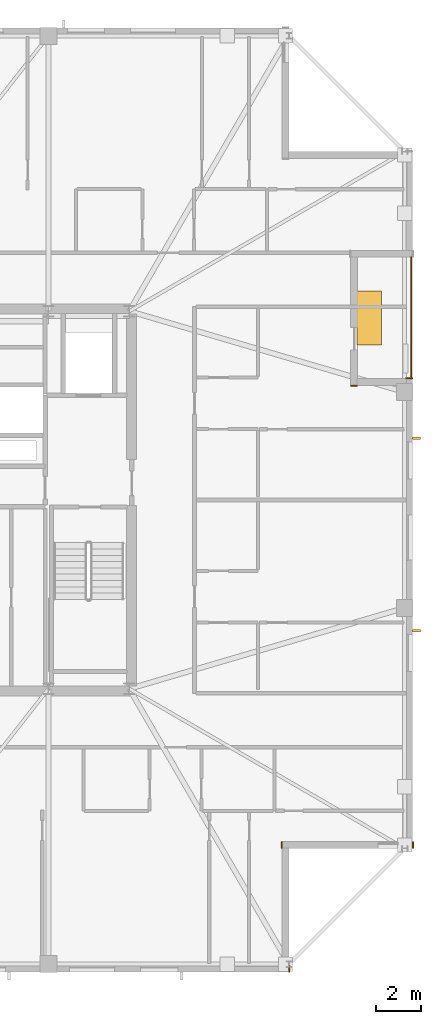
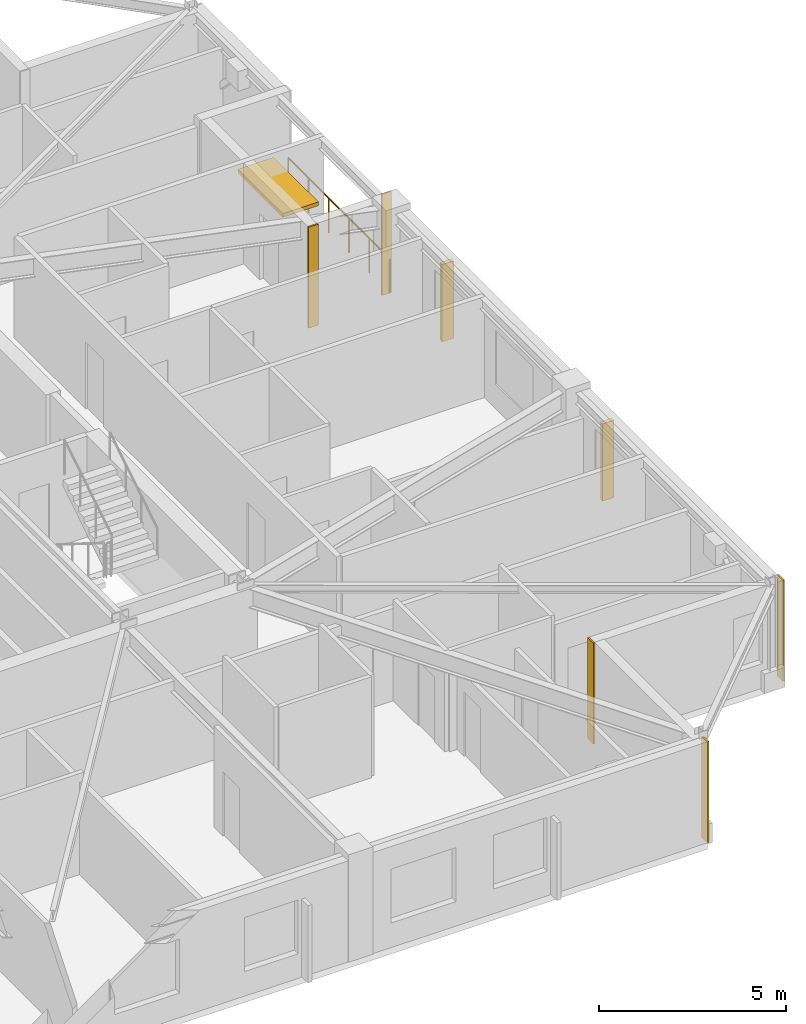
# One storey, part 15 of 16: 5 coverings, 3 shading devices, 1 railing.
"""IFC4 building model written with IfcOpenShell, lengths in metres."""

from ifc_helpers import new_model, si_unit, direction, frame, frame_2d, origin, origin_2d, place, context, subcontext, project, spatial, rectangle, circle, extrude, material, layer, layer_set, type_object, element, save


model = new_model("IFC4")

# Units and contexts
model_context = context("Model", 3, precision=1e-05, world=origin(), true_north=direction((0.0, 1.0)))
body_context = subcontext(model_context, "Body", "Model", "MODEL_VIEW")
ifc_project = project(units=[si_unit("LENGTHUNIT", "METRE"), si_unit("AREAUNIT", "SQUARE_METRE"), si_unit("VOLUMEUNIT", "CUBIC_METRE"), si_unit("PLANEANGLEUNIT", "RADIAN"), si_unit("MASSUNIT", "GRAM", prefix="KILO")], contexts=[model_context])

# Site, building, storey
site_placement = place(None, origin())
site = spatial("IfcSite", under=ifc_project, at=site_placement, CompositionType="ELEMENT")
building_placement = place(site_placement, origin())
building = spatial("IfcBuilding", under=site, at=building_placement, Name="Cairnveth Concourse Tower", CompositionType="ELEMENT")
storey_placement = place(building_placement, frame((0.0, 0.0, 312.0)))
storey = spatial("IfcBuildingStorey", under=building, at=storey_placement, Name="L86", CompositionType="ELEMENT", Elevation=312.0)

# Coverings
ifc_material_1 = material(Name="Dressed Melbourne Bluestone Cladding", Category="masonry")
ifc_layer = layer(ifc_material_1, 0.050048828125)
ifc_layer_set = layer_set([ifc_layer], Name="Dressed Melbourne Bluestone Cladding")
covering_type = type_object("IfcCoveringType", Name="DRESSED BLUESTONE PLINTH CLADDING 50", PredefinedType="CLADDING", material=ifc_layer_set)
for number, where, z_axis, x_axis, name in (
    (1, (72.699951171875, 44.419921875, 0.0), (0.0, 0.0, 1.0), (1.0, 0.0, 0.0), "Melbourne Bluestone Corner Quoin L86-1307"),
    (2, (73.02001953125, 23.800048828125, 0.0), (0.0, 0.0, 1.0), (0.0, -1.0, 0.0), "Melbourne Bluestone Corner Quoin L86-1308"),
    (3, (67.179931640625, 23.800048828125, 0.0), (0.0, 0.0, 1.0), (0.0, -1.0, 0.0), "Melbourne Bluestone Corner Quoin L86-1309"),
    (4, (67.52001953125, 18.300048828125, 0.0), (0.0, 0.0, 1.0), (0.0, -1.0, 0.0), "Melbourne Bluestone Corner Quoin L86-1310"),
    (5, (70.25, 44.080078125, 0.0), (0.0, 0.0, 1.0), (1.0, 0.0, 0.0), "Melbourne Bluestone Corner Quoin L86-1322"),
):
    element("IfcCovering", number, at=place(storey_placement, frame(where, z_axis=z_axis, x_axis=x_axis)), inside=storey, type_object=covering_type, Name=name, PredefinedType="CLADDING", context=body_context, shape_type="SweptSolid", body=[
        extrude(rectangle(XDim=0.300048828125, YDim=0.050048828125, at=frame_2d((0.14990234375, 0.0))), origin(), (0.0, 0.0, 1.0), 3.2900390625),
    ])

# Shading devices
ifc_material_2 = material(Name="Architectural Bronze Anodised Aluminium 6063-T6", Category="aluminium")
shading_device_type_1 = type_object("IfcShadingDeviceType", Name="GOTHIC BRONZE VERTICAL LANCET FIN", PredefinedType="USERDEFINED", material=ifc_material_2)
for number, where, z_axis, x_axis, name in (
    (6, (73.175048828125, 41.74462890625, 0.030029296875), (0.0, 0.0, 1.0), (0.0, 1.0, 0.0), "Gothic Bronze Vertical Fin L86-0-1"),
    (7, (73.175048828125, 33.183837890625, 0.030029296875), (0.0, 0.0, 1.0), (0.0, 1.0, 0.0), "Gothic Bronze Vertical Fin L86-0-3"),
):
    element("IfcShadingDevice", number, at=place(storey_placement, frame(where, z_axis=z_axis, x_axis=x_axis)), inside=storey, type_object=shading_device_type_1, Name=name, ObjectType="VERTICAL FIN", PredefinedType="USERDEFINED", context=body_context, shape_type="SweptSolid", body=[
        extrude(rectangle(XDim=0.1201171875, YDim=0.360107421875, at=origin_2d()), origin(), (0.0, 0.0, 1.0), 2.51806640625),
    ])
shading_device_type_2 = type_object("IfcShadingDeviceType", Name="SPIRAL TERRACE SUNSHADE CANOPY", PredefinedType="USERDEFINED", material=ifc_material_2)
shading_device_placement = place(storey_placement, frame((71.070068359375, 47.10009765625, 2.39794921875), z_axis=(0.0, 0.0, 1.0), x_axis=(1.0, 0.0, 0.0)))
element("IfcShadingDevice", 8, at=shading_device_placement, inside=storey, type_object=shading_device_type_2, Name="Spiral Terrace Sunshade L86", ObjectType="TERRACE SUNSHADE", PredefinedType="USERDEFINED", context=body_context, shape_type="SweptSolid", body=[
    extrude(rectangle(XDim=1.10009765625, YDim=2.39990234375, at=origin_2d()), origin(), (0.0, 0.0, 1.0), 0.1201171875),
])

# Railing
railing_type = type_object("IfcRailingType", Name="TERRACE BRONZE BALUSTRADE 1150", PredefinedType="BALUSTRADE", material=ifc_material_2)
railing_placement = place(storey_placement, frame((72.93994140625, 44.39990234375, 0.0)))
element("IfcRailing", 9, at=railing_placement, inside=storey, type_object=railing_type, Name="Terrace Balustrade RL-L86-TERR", PredefinedType="BALUSTRADE", context=body_context, shape_type="SweptSolid", body=[
    extrude(circle(Radius=0.02490234375, at=origin_2d()), frame((0.0, 0.0, 1.125), z_axis=(0.0, 1.0, 0.0), x_axis=(-1.0, 0.0, 0.0)), (0.0, 0.0, 1.0), 5.400146484375),
    extrude(circle(Radius=0.02099609375, at=origin_2d()), origin(), (0.0, 0.0, 1.0), 1.099853515625),
    extrude(circle(Radius=0.02099609375, at=origin_2d()), frame((0.0, 1.080078125, 0.0)), (0.0, 0.0, 1.0), 1.099853515625),
    extrude(circle(Radius=0.02099609375, at=origin_2d()), frame((0.0, 2.16015625, 0.0)), (0.0, 0.0, 1.0), 1.099853515625),
    extrude(circle(Radius=0.02099609375, at=origin_2d()), frame((0.0, 3.239990234375, 0.0)), (0.0, 0.0, 1.0), 1.099853515625),
    extrude(circle(Radius=0.02099609375, at=origin_2d()), frame((0.0, 4.320068359375, 0.0)), (0.0, 0.0, 1.0), 1.099853515625),
    extrude(circle(Radius=0.02099609375, at=origin_2d()), frame((0.0, 5.400146484375, 0.0)), (0.0, 0.0, 1.0), 1.099853515625),
])

save(model, "model.ifc")
